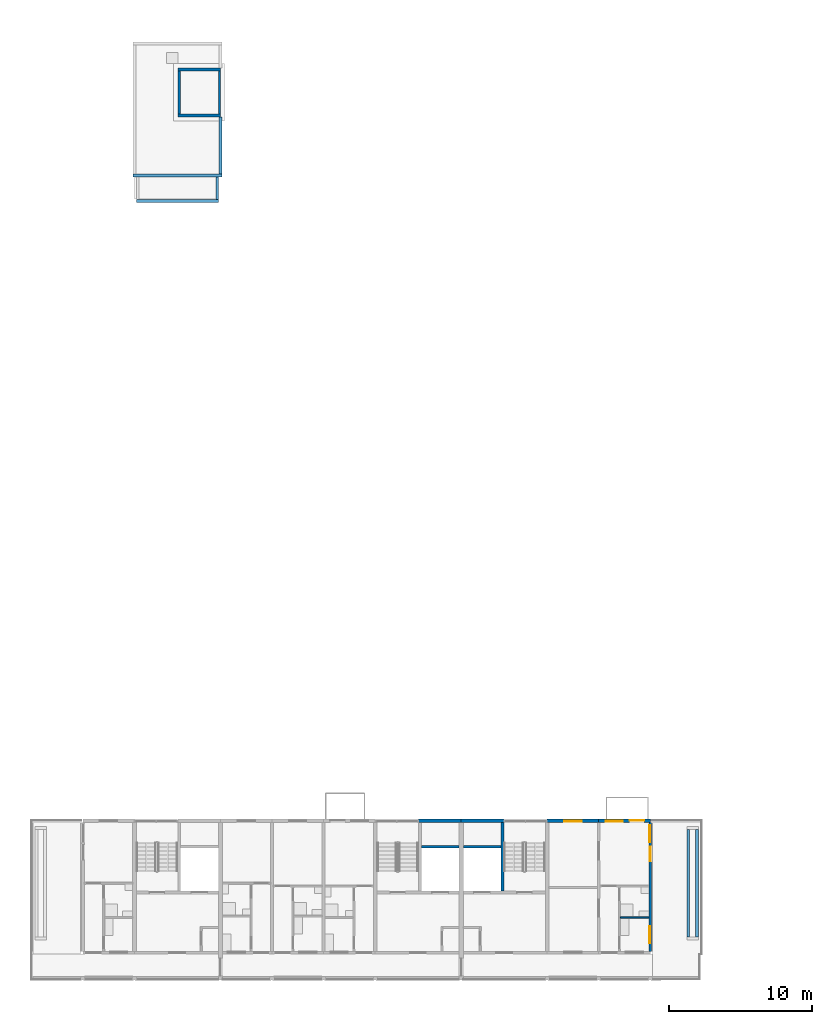
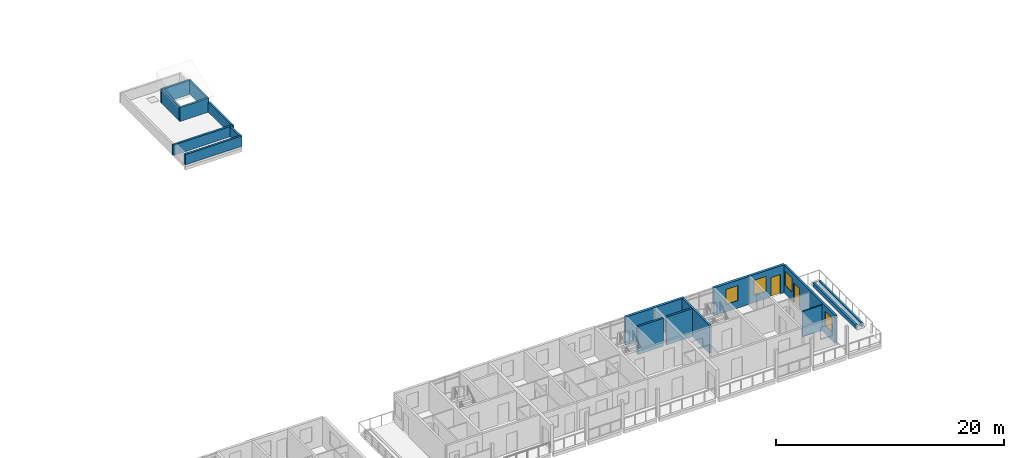
# One storey, part 30 of 64: 19 walls, 4 windows, 2 doors, 6 openings.
"""IFC4 building model written with IfcOpenShell, lengths in metres."""

import ifcopenshell
import ifcopenshell.guid

model = None  # the IFC model being written
_history = None  # IfcOwnerHistory: only IFC2X3 demands one
_inside = {}  # id of a spatial element -> (the spatial element, [elements in it])
_under = {}  # id of a project, library or spatial element -> (it, [spatial elements below it])
_declared = {}  # id of a project -> (the project, [libraries it declares])
_typed = {}  # id of a type object -> (the type object, [elements of that type])
_made_of = {}  # id of a material, layer set ... -> (it, [elements and type objects made of it])


def new_model(schema):
    """Start an empty IFC model of exactly this schema.

    Asked for "IFC4X3", IfcOpenShell would pick the latest addendum, in which some entities
    have other attributes; the version numbers below select the first issue.
    IFC2X3 requires an IfcOwnerHistory on every rooted entity: one is made here for all.
    """
    global model, _history
    if schema == "IFC4X3":
        model = ifcopenshell.file(schema_version=(4, 3, 0, 0))
    else:
        model = ifcopenshell.file(schema=schema)
    _inside.clear()
    _under.clear()
    _declared.clear()
    _typed.clear()
    _made_of.clear()
    _history = None
    if model.schema == "IFC2X3":
        org = make("IfcOrganization", Name="unknown")
        user = make(
            "IfcPersonAndOrganization",
            ThePerson=make("IfcPerson", FamilyName="unknown"),
            TheOrganization=org,
        )
        app = make(
            "IfcApplication",
            ApplicationDeveloper=org,
            Version="unknown",
            ApplicationFullName="unknown",
            ApplicationIdentifier="unknown",
        )
        _history = make(
            "IfcOwnerHistory",
            OwningUser=user,
            OwningApplication=app,
            ChangeAction="ADDED",
            CreationDate=0,
        )
    return model


def make(cls, **values):
    """One entity of the class cls with the attributes given. An attribute that is None is left unset."""
    return model.create_entity(
        cls, **{name: value for name, value in values.items() if value is not None}
    )


def rooted(cls, **values):
    """An entity with a GlobalId (a new one), such as an element, a storey or a relation."""
    return make(cls, GlobalId=ifcopenshell.guid.new(), OwnerHistory=_history, **values)


def si_unit(unit_type, name, prefix=None):
    """IfcSIUnit, for example si_unit("LENGTHUNIT", "METRE", prefix="MILLI")."""
    return make("IfcSIUnit", UnitType=unit_type, Prefix=prefix, Name=name)


def assignment(units):
    """IfcUnitAssignment: the units of a project."""
    return None if units is None else make("IfcUnitAssignment", Units=units)


def point(xyz):
    """IfcCartesianPoint."""
    return None if xyz is None else make("IfcCartesianPoint", Coordinates=xyz)


def direction(xyz):
    """IfcDirection."""
    return None if xyz is None else make("IfcDirection", DirectionRatios=xyz)


def frame(location, z_axis=None, x_axis=None):
    """IfcAxis2Placement3D, a coordinate frame: its origin and axes. An axis left out is left unset."""
    return make(
        "IfcAxis2Placement3D",
        Location=point(location),
        Axis=direction(z_axis),
        RefDirection=direction(x_axis),
    )


def frame_2d(location, x_axis=None):
    """IfcAxis2Placement2D, a coordinate frame in the plane: its origin and x axis."""
    return make(
        "IfcAxis2Placement2D", Location=point(location), RefDirection=direction(x_axis)
    )


def origin():
    """The frame at (0, 0, 0) with its axes left unset."""
    return frame((0.0, 0.0, 0.0))


def place(relative_to, where):
    """IfcLocalPlacement: puts the frame where relative to a parent placement (None: the world)."""
    return make(
        "IfcLocalPlacement", PlacementRelTo=relative_to, RelativePlacement=where
    )


def context(
    kind, dimensions, precision=None, world=None, true_north=None, identifier=None
):
    """IfcGeometricRepresentationContext, for example the 3D "Model" context."""
    return make(
        "IfcGeometricRepresentationContext",
        ContextIdentifier=identifier,
        ContextType=kind,
        CoordinateSpaceDimension=dimensions,
        Precision=precision,
        WorldCoordinateSystem=world,
        TrueNorth=true_north,
    )


def subcontext(parent, identifier, kind, view, scale=None):
    """IfcGeometricRepresentationSubContext, for example "Body" below "Model"."""
    return make(
        "IfcGeometricRepresentationSubContext",
        ContextIdentifier=identifier,
        ContextType=kind,
        ParentContext=parent,
        TargetScale=scale,
        TargetView=view,
    )


def project(units=None, contexts=None):
    """IfcProject with its units and contexts."""
    return rooted(
        "IfcProject",
        Name="project",
        RepresentationContexts=contexts,
        UnitsInContext=assignment(units),
    )


def spatial(cls, under=None, at=None, **own):
    """A site, building, storey or space (cls), placed at a placement, below another one or the project."""
    s = rooted(cls, ObjectPlacement=at, **own)
    if under is not None:
        _under.setdefault(under.id(), (under, []))[1].append(s)
    return s


def profile(cls, at=None, kind="AREA", **sizes):
    """A parametric profile (cls). Its sizes go by their IFC names, for example OverallWidth=200.0."""
    return make(cls, ProfileType=kind, Position=at, **sizes)


def rectangle(**sizes):
    """IfcRectangleProfileDef."""
    return profile("IfcRectangleProfileDef", **sizes)


def extrude(swept, where, along, depth):
    """IfcExtrudedAreaSolid: the profile swept, set in the frame where, extruded along a direction by depth."""
    return make(
        "IfcExtrudedAreaSolid",
        SweptArea=swept,
        Position=where,
        ExtrudedDirection=direction(along),
        Depth=depth,
    )


def shape(context_of_items, identifier, shape_type, items):
    """IfcShapeRepresentation: the items that make up one representation, for example the "Body"."""
    return make(
        "IfcShapeRepresentation",
        ContextOfItems=context_of_items,
        RepresentationIdentifier=identifier,
        RepresentationType=shape_type,
        Items=items,
    )


def material(Name=None, Category=None):
    """IfcMaterial."""
    return make("IfcMaterial", Name=Name, Category=Category)


def layer(
    of_material, thickness, ventilated=None, Name=None, Category=None, Priority=None
):
    """IfcMaterialLayer: one layer of a wall or slab, of a material (None: an air gap)."""
    return make(
        "IfcMaterialLayer",
        Material=of_material,
        LayerThickness=thickness,
        IsVentilated=ventilated,
        Name=Name,
        Category=Category,
        Priority=Priority,
    )


def layer_set(layers, Name=None):
    """IfcMaterialLayerSet."""
    return make("IfcMaterialLayerSet", MaterialLayers=layers, LayerSetName=Name)


def made_of(thing, what):
    """Note that an element or type object is made of a material, layer set ...; save() writes the relation."""
    if what is not None:
        _made_of.setdefault(what.id(), (what, []))[1].append(thing)
    return thing


def type_object(cls, material=None, **own):
    """A type object (cls), such as IfcWallType, which elements share."""
    return made_of(rooted(cls, **own), material)


def element(
    cls,
    number,
    at=None,
    inside=None,
    cuts=None,
    type_object=None,
    material=None,
    context=None,
    identifier="Body",
    shape_type=None,
    held_by="IfcProductDefinitionShape",
    body=None,
    shapes=None,
    **own,
):
    """One element of the class cls, such as IfcWall. Its Tag is "e" and its number.

    at: its placement. inside: the storey or other place that contains it. cuts: it is an
    opening in that element (IfcRelVoidsElement). A single representation is given by context,
    identifier, shape_type and body (its items); several are given by shapes. held_by: the class
    of the entity that holds the representations. save() writes the other relations.
    """
    e = rooted(cls, Tag="e%d" % number, ObjectPlacement=at, **own)
    if body is not None:
        shapes = [shape(context, identifier, shape_type, body)]
    if shapes is not None:
        e.Representation = make(held_by, Representations=shapes)
    if inside is not None:
        _inside.setdefault(inside.id(), (inside, []))[1].append(e)
    if cuts is not None:
        rooted(
            "IfcRelVoidsElement", RelatingBuildingElement=cuts, RelatedOpeningElement=e
        )
    if type_object is not None:
        _typed.setdefault(type_object.id(), (type_object, []))[1].append(e)
    return made_of(e, material)


def fill(opening, filler):
    """IfcRelFillsElement: the door or window that sits in an opening."""
    return rooted(
        "IfcRelFillsElement",
        RelatingOpeningElement=opening,
        RelatedBuildingElement=filler,
    )


def aggregate(whole, parts):
    """IfcRelAggregates: a whole, such as a stair, and the parts it consists of."""
    return rooted("IfcRelAggregates", RelatingObject=whole, RelatedObjects=parts)


def save(model, path):
    """Write the relations noted so far, then the file.

    IfcRelAggregates (storeys below a building ...), IfcRelContainedInSpatialStructure (elements
    in a storey), IfcRelDefinesByType, IfcRelAssociatesMaterial and IfcRelDeclares: one each for
    every whole, place, type object, material and project.
    """
    for whole, parts in _under.values():
        aggregate(whole, parts)
    for where, things in _inside.values():
        rooted(
            "IfcRelContainedInSpatialStructure",
            RelatedElements=things,
            RelatingStructure=where,
        )
    for kind, things in _typed.values():
        rooted("IfcRelDefinesByType", RelatedObjects=things, RelatingType=kind)
    for what, things in _made_of.values():
        rooted("IfcRelAssociatesMaterial", RelatedObjects=things, RelatingMaterial=what)
    for by, libraries in _declared.values():
        rooted("IfcRelDeclares", RelatingContext=by, RelatedDefinitions=libraries)
    model.write(path)


model = new_model("IFC4")

# Units and contexts
model_context = context("Model", 3, precision=1e-05, world=origin(), true_north=direction((0.0, 1.0)))
body_context = subcontext(model_context, "Body", "Model", "MODEL_VIEW")
ifc_project = project(units=[si_unit("LENGTHUNIT", "METRE"), si_unit("AREAUNIT", "SQUARE_METRE"), si_unit("VOLUMEUNIT", "CUBIC_METRE"), si_unit("PLANEANGLEUNIT", "RADIAN"), si_unit("MASSUNIT", "GRAM", prefix="KILO")], contexts=[model_context])

# Site, building, storey
site_placement = place(None, origin())
site = spatial("IfcSite", under=ifc_project, at=site_placement, CompositionType="ELEMENT")
building_placement = place(site_placement, origin())
building = spatial("IfcBuilding", under=site, at=building_placement, Name="Ridgestep Commons", CompositionType="ELEMENT")
storey_placement = place(building_placement, frame((0.0, 0.0, 33.0)))
storey = spatial("IfcBuildingStorey", under=building, at=storey_placement, Name="L11", CompositionType="ELEMENT", Elevation=33.0)

# Walls
ifc_material_1 = material(Name="Concrete C30/37", Category="concrete")
ifc_layer_1 = layer(ifc_material_1, 0.199951171875)
ifc_layer_set_1 = layer_set([ifc_layer_1], Name="Core wall 200")
wall_type_1 = type_object("IfcWallType", Name="Core wall 200", PredefinedType="SHEAR", material=ifc_layer_set_1)
wall_1_placement = place(storey_placement, frame((93.22509765625, 21.050048828125, 0.0), z_axis=(0.0, 0.0, 1.0), x_axis=(1.0, 0.0, 0.0)))
element("IfcWall", 1, at=wall_1_placement, inside=storey, type_object=wall_type_1, Name="Core duct wall A5C L11", PredefinedType="SHEAR", context=body_context, shape_type="SweptSolid", body=[
    extrude(rectangle(XDim=2.625, YDim=0.199951171875, at=frame_2d((1.3125, 0.0))), origin(), (0.0, 0.0, 1.0), 3.0),
])
wall_2_placement = place(storey_placement, frame((98.875, 17.949951171875, 0.0), z_axis=(0.0, 0.0, 1.0), x_axis=(0.0, 1.0, 0.0)))
element("IfcWall", 2, at=wall_2_placement, inside=storey, type_object=wall_type_1, Name="Core stair wall A6C L11", PredefinedType="SHEAR", context=body_context, shape_type="SweptSolid", body=[
    extrude(rectangle(XDim=4.800048828125, YDim=0.199951171875, at=frame_2d((2.39990234375, 0.0))), origin(), (0.0, 0.0, 1.0), 3.0),
])
wall_3_placement = place(storey_placement, frame((96.14990234375, 21.050048828125, 0.0), z_axis=(0.0, 0.0, 1.0), x_axis=(1.0, 0.0, 0.0)))
element("IfcWall", 3, at=wall_3_placement, inside=storey, type_object=wall_type_1, Name="Core duct wall A6C L11", PredefinedType="SHEAR", context=body_context, shape_type="SweptSolid", body=[
    extrude(rectangle(XDim=2.625, YDim=0.199951171875, at=frame_2d((1.3125, 0.0))), origin(), (0.0, 0.0, 1.0), 3.0),
])

# Wall, openings, windows, door
ifc_material_2 = material(Name="Precast concrete C40/50", Category="concrete")
ifc_layer_2 = layer(ifc_material_2, 0.199951171875)
ifc_layer_set_2 = layer_set([ifc_layer_2], Name="Exposed cross wall 200")
wall_type_2 = type_object("IfcWallType", Name="Exposed cross wall 200", PredefinedType="SHEAR", material=ifc_layer_set_2)
wall_4_placement = place(storey_placement, frame((109.199951171875, 13.75, 0.0), z_axis=(0.0, 0.0, 1.0), x_axis=(0.0, 1.0, 0.0)))
wall_4 = element("IfcWall", 4, at=wall_4_placement, inside=storey, type_object=wall_type_2, Name="Cross wall A-11-1092", PredefinedType="SHEAR", context=body_context, shape_type="SweptSolid", body=[
    extrude(rectangle(XDim=9.0, YDim=0.199951171875, at=frame_2d((4.5, 0.0))), origin(), (0.0, 0.0, 1.0), 3.0),
])
opening_1_placement = place(wall_4_placement, frame((0.550048828125, 0.0, 0.89990234375)))
opening_1 = element("IfcOpeningElement", 5, at=opening_1_placement, cuts=wall_4, Name="Opening W10", PredefinedType="OPENING", context=body_context, shape_type="SweptSolid", body=[
    extrude(rectangle(XDim=1.199951171875, YDim=1.5, at=frame_2d((0.60009765625, 0.75))), frame((0.0, 0.10986328125, 0.0), z_axis=(0.0, -1.0, 0.0), x_axis=(1.0, 0.0, 0.0)), (0.0, 0.0, 1.0), 0.219970703125),
])
opening_2_placement = place(wall_4_placement, frame((7.6025390625, 0.0, 0.89990234375)))
opening_2 = element("IfcOpeningElement", 6, at=opening_2_placement, cuts=wall_4, Name="Opening W10", PredefinedType="OPENING", context=body_context, shape_type="SweptSolid", body=[
    extrude(rectangle(XDim=1.199951171875, YDim=1.5, at=frame_2d((0.60009765625, 0.75))), frame((0.0, 0.10986328125, 0.0), z_axis=(0.0, -1.0, 0.0), x_axis=(1.0, 0.0, 0.0)), (0.0, 0.0, 1.0), 0.219970703125),
])
opening_3_placement = place(wall_4_placement, frame((6.304931640625, 0.0, 0.0)))
opening_3 = element("IfcOpeningElement", 7, at=opening_3_placement, cuts=wall_4, Name="Opening A6-11a/7", PredefinedType="OPENING", context=body_context, shape_type="SweptSolid", body=[
    extrude(rectangle(XDim=1.0, YDim=2.10009765625, at=frame_2d((0.5, 1.050048828125))), frame((0.0, 0.10986328125, 0.0), z_axis=(0.0, -1.0, 0.0), x_axis=(1.0, 0.0, 0.0)), (0.0, 0.0, 1.0), 0.219970703125),
])
ifc_material_3 = material(Name="Aluminium 6063-T6 and glass", Category="aluminium")
window_type_1 = type_object("IfcWindowType", Name="Flat window 1200 x 1500", PartitioningType="SINGLE_PANEL", PredefinedType="WINDOW", material=ifc_material_3)
window_1_placement = place(opening_1_placement, origin())
window_1 = element("IfcWindow", 8, at=window_1_placement, inside=storey, type_object=window_type_1, Name="Window A6-11a 5", OverallHeight=1.5, OverallWidth=1.199951171875, PartitioningType="SINGLE_PANEL", PredefinedType="WINDOW", context=body_context, shape_type="SweptSolid", body=[
    extrude(rectangle(XDim=1.199951171875, YDim=1.5, at=frame_2d((0.60009765625, 0.75))), frame((0.0, 0.06005859375, 0.0), z_axis=(0.0, -1.0, 0.0), x_axis=(1.0, 0.0, 0.0)), (0.0, 0.0, 1.0), 0.06005859375),
])
fill(opening_1, window_1)
window_2_placement = place(opening_2_placement, origin())
window_2 = element("IfcWindow", 9, at=window_2_placement, inside=storey, type_object=window_type_1, Name="Window A6-11a 6", OverallHeight=1.5, OverallWidth=1.199951171875, PartitioningType="SINGLE_PANEL", PredefinedType="WINDOW", context=body_context, shape_type="SweptSolid", body=[
    extrude(rectangle(XDim=1.199951171875, YDim=1.5, at=frame_2d((0.60009765625, 0.75))), frame((0.0, 0.06005859375, 0.0), z_axis=(0.0, -1.0, 0.0), x_axis=(1.0, 0.0, 0.0)), (0.0, 0.0, 1.0), 0.06005859375),
])
fill(opening_2, window_2)
ifc_material_4 = material(Name="Aluminium and glass", Category="aluminium")
door_type_1 = type_object("IfcDoorType", Name="Terrace door 1000 x 2100", OperationType="NOTDEFINED", PredefinedType="DOOR", material=ifc_material_4)
door_1_placement = place(opening_3_placement, origin())
door_1 = element("IfcDoor", 10, at=door_1_placement, inside=storey, type_object=door_type_1, Name="Terrace door A6-11a/7", OperationType="SINGLE_SWING_LEFT", OverallHeight=2.10009765625, OverallWidth=1.0, PredefinedType="DOOR", context=body_context, shape_type="SweptSolid", body=[
    extrude(rectangle(XDim=1.0, YDim=2.10009765625, at=frame_2d((0.5, 1.050048828125))), frame((0.0, 0.02490234375, 0.0), z_axis=(0.0, -1.0, 0.0), x_axis=(1.0, 0.0, 0.0)), (0.0, 0.0, 1.0), 0.050048828125),
])
fill(opening_3, door_1)

# Walls
ifc_material_5 = material(Name="Concrete C30/37", Category="concrete")
ifc_layer_3 = layer(ifc_material_5, 0.14990234375)
ifc_layer_set_3 = layer_set([ifc_layer_3], Name="Lift overrun wall 150")
wall_type_3 = type_object("IfcWallType", Name="Lift overrun wall 150", PredefinedType="SHEAR", material=ifc_layer_set_3)
wall_5_placement = place(storey_placement, frame((79.125, 72.199951171875, 0.0), z_axis=(0.0, 0.0, 1.0), x_axis=(0.0, 1.0, 0.0)))
element("IfcWall", 11, at=wall_5_placement, inside=storey, type_object=wall_type_3, Name="Lift overrun wall B4C", PredefinedType="SHEAR", context=body_context, shape_type="SweptSolid", body=[
    extrude(rectangle(XDim=3.0, YDim=0.14990234375, at=frame_2d((1.5, 0.0))), origin(), (0.0, 0.0, 1.0), 1.5),
])
ifc_material_6 = material(Name="Concrete C30/37", Category="concrete")
ifc_layer_4 = layer(ifc_material_6, 0.199951171875)
ifc_layer_set_4 = layer_set([ifc_layer_4], Name="Lift overrun wall 200")
wall_type_4 = type_object("IfcWallType", Name="Lift overrun wall 200", PredefinedType="SHEAR", material=ifc_layer_set_4)
for number, where, z_axis, x_axis, name in (
    (12, (76.22509765625, 72.10009765625, 0.0), (0.0, 0.0, 1.0), (1.0, 0.0, 0.0), "Lift overrun wall B4C"),
    (13, (76.22509765625, 75.300048828125, 0.0), (0.0, 0.0, 1.0), (1.0, 0.0, 0.0), "Lift overrun wall B4C"),
):
    element("IfcWall", number, at=place(storey_placement, frame(where, z_axis=z_axis, x_axis=x_axis)), inside=storey, type_object=wall_type_4, Name=name, PredefinedType="SHEAR", context=body_context, shape_type="SweptSolid", body=[
        extrude(rectangle(XDim=2.974853515625, YDim=0.199951171875, at=frame_2d((1.4873046875, 0.0))), origin(), (0.0, 0.0, 1.0), 1.5),
    ])
wall_6_placement = place(storey_placement, frame((76.324951171875, 72.199951171875, 0.0), z_axis=(0.0, 0.0, 1.0), x_axis=(0.0, 1.0, 0.0)))
element("IfcWall", 14, at=wall_6_placement, inside=storey, type_object=wall_type_4, Name="Lift overrun wall B4C", PredefinedType="SHEAR", context=body_context, shape_type="SweptSolid", body=[
    extrude(rectangle(XDim=3.0, YDim=0.199951171875, at=frame_2d((1.5, 0.0))), origin(), (0.0, 0.0, 1.0), 1.5),
])
ifc_material_7 = material(Name="Precast concrete C40/50", Category="concrete")
ifc_layer_5 = layer(ifc_material_7, 0.25)
ifc_layer_set_5 = layer_set([ifc_layer_5], Name="North facade panel 250")
wall_type_5 = type_object("IfcWallType", Name="North facade panel 250", PredefinedType="SOLIDWALL", material=ifc_layer_set_5)
for number, where, z_axis, x_axis, name in (
    (15, (93.02490234375, 22.875, 0.0), (0.0, 0.0, 1.0), (1.0, 0.0, 0.0), "North panel A5C L11"),
    (16, (96.0, 22.875, 0.0), (0.0, 0.0, 1.0), (1.0, 0.0, 0.0), "North panel A6C L11"),
):
    element("IfcWall", number, at=place(storey_placement, frame(where, z_axis=z_axis, x_axis=x_axis)), inside=storey, type_object=wall_type_5, Name=name, PredefinedType="SOLIDWALL", context=body_context, shape_type="SweptSolid", body=[
        extrude(rectangle(XDim=2.97509765625, YDim=0.25, at=frame_2d((1.487548828125, 0.0))), origin(), (0.0, 0.0, 1.0), 3.0),
    ])

# Wall, opening, window
wall_7_placement = place(storey_placement, frame((102.0, 22.875, 0.0), z_axis=(0.0, 0.0, 1.0), x_axis=(1.0, 0.0, 0.0)))
wall_7 = element("IfcWall", 17, at=wall_7_placement, inside=storey, type_object=wall_type_5, Name="North panel A6T3 L11", PredefinedType="SOLIDWALL", context=body_context, shape_type="SweptSolid", body=[
    extrude(rectangle(XDim=3.60009765625, YDim=0.25, at=frame_2d((1.800048828125, 0.0))), origin(), (0.0, 0.0, 1.0), 3.0),
])
opening_4_placement = place(wall_7_placement, frame((1.21240234375, 0.0, 0.800048828125)))
opening_4 = element("IfcOpeningElement", 18, at=opening_4_placement, cuts=wall_7, Name="Opening W11", PredefinedType="OPENING", context=body_context, shape_type="SweptSolid", body=[
    extrude(rectangle(XDim=1.199951171875, YDim=1.60009765625, at=frame_2d((0.60009765625, 0.800048828125))), frame((0.0, 0.135009765625, 0.0), z_axis=(0.0, -1.0, 0.0), x_axis=(1.0, 0.0, 0.0)), (0.0, 0.0, 1.0), 0.27001953125),
])
ifc_material_8 = material(Name="Aluminium 6063-T6 and glass", Category="aluminium")
window_type_2 = type_object("IfcWindowType", Name="Flat window 1200 x 1600", PartitioningType="SINGLE_PANEL", PredefinedType="WINDOW", material=ifc_material_8)
window_3_placement = place(opening_4_placement, origin())
window_3 = element("IfcWindow", 19, at=window_3_placement, inside=storey, type_object=window_type_2, Name="Window A6-11a 2", OverallHeight=1.60009765625, OverallWidth=1.199951171875, PartitioningType="SINGLE_PANEL", PredefinedType="WINDOW", context=body_context, shape_type="SweptSolid", body=[
    extrude(rectangle(XDim=1.199951171875, YDim=1.60009765625, at=frame_2d((0.60009765625, 0.800048828125))), frame((0.0, -0.02490234375, 0.0), z_axis=(0.0, -1.0, 0.0), x_axis=(1.0, 0.0, 0.0)), (0.0, 0.0, 1.0), 0.06005859375),
])
fill(opening_4, window_3)

# Wall, openings, door, window
wall_8_placement = place(storey_placement, frame((105.60009765625, 22.875, 0.0), z_axis=(0.0, 0.0, 1.0), x_axis=(1.0, 0.0, 0.0)))
wall_8 = element("IfcWall", 20, at=wall_8_placement, inside=storey, type_object=wall_type_5, Name="North panel A6T2 L11", PredefinedType="SOLIDWALL", context=body_context, shape_type="SweptSolid", body=[
    extrude(rectangle(XDim=3.599853515625, YDim=0.25, at=frame_2d((1.7998046875, 0.0))), origin(), (0.0, 0.0, 1.0), 3.0),
])
opening_5_placement = place(wall_8_placement, frame((0.48291015625, 0.0, 0.800048828125)))
opening_5 = element("IfcOpeningElement", 21, at=opening_5_placement, cuts=wall_8, Name="Opening W11", PredefinedType="OPENING", context=body_context, shape_type="SweptSolid", body=[
    extrude(rectangle(XDim=1.199951171875, YDim=1.60009765625, at=frame_2d((0.60009765625, 0.800048828125))), frame((0.0, 0.135009765625, 0.0), z_axis=(0.0, -1.0, 0.0), x_axis=(1.0, 0.0, 0.0)), (0.0, 0.0, 1.0), 0.27001953125),
])
opening_6_placement = place(wall_8_placement, frame((2.166015625, 0.0, 0.0)))
opening_6 = element("IfcOpeningElement", 22, at=opening_6_placement, cuts=wall_8, Name="Opening A6-11a/8", PredefinedType="OPENING", context=body_context, shape_type="SweptSolid", body=[
    extrude(rectangle(XDim=1.0, YDim=2.10009765625, at=frame_2d((0.5, 1.050048828125))), frame((0.0, 0.135009765625, 0.0), z_axis=(0.0, -1.0, 0.0), x_axis=(1.0, 0.0, 0.0)), (0.0, 0.0, 1.0), 0.27001953125),
])
ifc_material_9 = material(Name="Aluminium and glass", Category="aluminium")
door_type_2 = type_object("IfcDoorType", Name="Balcony door 1000 x 2100", OperationType="NOTDEFINED", PredefinedType="DOOR", material=ifc_material_9)
door_2_placement = place(opening_6_placement, origin())
door_2 = element("IfcDoor", 23, at=door_2_placement, inside=storey, type_object=door_type_2, Name="Balcony door A6-11a/8", OperationType="SINGLE_SWING_LEFT", OverallHeight=2.10009765625, OverallWidth=1.0, PredefinedType="DOOR", context=body_context, shape_type="SweptSolid", body=[
    extrude(rectangle(XDim=1.0, YDim=2.10009765625, at=frame_2d((0.5, 1.050048828125))), frame((0.0, 0.02490234375, 0.0), z_axis=(0.0, -1.0, 0.0), x_axis=(1.0, 0.0, 0.0)), (0.0, 0.0, 1.0), 0.050048828125),
])
fill(opening_6, door_2)
window_4_placement = place(opening_5_placement, origin())
window_4 = element("IfcWindow", 24, at=window_4_placement, inside=storey, type_object=window_type_2, Name="Window A6-11a 4", OverallHeight=1.60009765625, OverallWidth=1.199951171875, PartitioningType="SINGLE_PANEL", PredefinedType="WINDOW", context=body_context, shape_type="SweptSolid", body=[
    extrude(rectangle(XDim=1.199951171875, YDim=1.60009765625, at=frame_2d((0.60009765625, 0.800048828125))), frame((0.0, -0.02490234375, 0.0), z_axis=(0.0, -1.0, 0.0), x_axis=(1.0, 0.0, 0.0)), (0.0, 0.0, 1.0), 0.06005859375),
])
fill(opening_5, window_4)

# Walls
ifc_material_10 = material(Name="Precast concrete C40/50", Category="concrete")
ifc_layer_6 = layer(ifc_material_10, 0.199951171875)
ifc_layer_set_6 = layer_set([ifc_layer_6], Name="Parapet wall 200")
wall_type_6 = type_object("IfcWallType", Name="Parapet wall 200", PredefinedType="PARAPET", material=ifc_layer_set_6)
wall_9_placement = place(storey_placement, frame((73.10009765625, 67.89990234375, 0.0), z_axis=(0.0, 0.0, 1.0), x_axis=(1.0, 0.0, 0.0)))
element("IfcWall", 25, at=wall_9_placement, inside=storey, type_object=wall_type_6, Name="Parapet B4C south", PredefinedType="PARAPET", context=body_context, shape_type="SweptSolid", body=[
    extrude(rectangle(XDim=6.199951171875, YDim=0.199951171875, at=frame_2d((3.10009765625, 0.0))), origin(), (0.0, 0.0, 1.0), 1.10009765625),
])
wall_10_placement = place(storey_placement, frame((79.199951171875, 68.0, 0.0), z_axis=(0.0, 0.0, 1.0), x_axis=(0.0, 1.0, 0.0)))
element("IfcWall", 26, at=wall_10_placement, inside=storey, type_object=wall_type_6, Name="Parapet B4C east", PredefinedType="PARAPET", context=body_context, shape_type="SweptSolid", body=[
    extrude(rectangle(XDim=4.0, YDim=0.199951171875, at=frame_2d((2.0, 0.0))), origin(), (0.0, 0.0, 1.0), 1.10009765625),
])
wall_11_placement = place(storey_placement, frame((73.324951171875, 66.125, 0.0), z_axis=(0.0, 0.0, 1.0), x_axis=(1.0, 0.0, 0.0)))
element("IfcWall", 27, at=wall_11_placement, inside=storey, type_object=wall_type_6, Name="Parapet B4C gallery south", PredefinedType="PARAPET", context=body_context, shape_type="SweptSolid", body=[
    extrude(rectangle(XDim=5.75, YDim=0.199951171875, at=frame_2d((2.875, 0.0))), origin(), (0.0, 0.0, 1.0), 1.10009765625),
])
wall_12_placement = place(storey_placement, frame((78.97509765625, 66.22509765625, 0.0), z_axis=(0.0, 0.0, 1.0), x_axis=(0.0, 1.0, 0.0)))
element("IfcWall", 28, at=wall_12_placement, inside=storey, type_object=wall_type_6, Name="Parapet B4C gallery east", PredefinedType="PARAPET", context=body_context, shape_type="SweptSolid", body=[
    extrude(rectangle(XDim=1.574951171875, YDim=0.199951171875, at=frame_2d((0.78759765625, 0.0))), origin(), (0.0, 0.0, 1.0), 1.10009765625),
])
ifc_material_11 = material(Name="Common brick 110 mm", Category="masonry")
ifc_layer_7 = layer(ifc_material_11, 0.110107421875)
ifc_layer_set_7 = layer_set([ifc_layer_7], Name="Partition 110")
wall_type_7 = type_object("IfcWallType", Name="Partition 110", PredefinedType="PARTITIONING", material=ifc_layer_set_7)
wall_13_placement = place(storey_placement, frame((107.110107421875, 16.10498046875, 0.0), z_axis=(0.0, 0.0, 1.0), x_axis=(1.0, 0.0, 0.0)))
element("IfcWall", 29, at=wall_13_placement, inside=storey, type_object=wall_type_7, Name="Partition A6-11a", PredefinedType="PARTITIONING", context=body_context, shape_type="SweptSolid", body=[
    extrude(rectangle(XDim=1.989990234375, YDim=0.110107421875, at=frame_2d((0.9951171875, 0.0))), origin(), (0.0, 0.0, 1.0), 2.75),
])
ifc_material_12 = material(Name="Facing brick", Category="masonry")
ifc_layer_8 = layer(ifc_material_12, 0.199951171875)
ifc_layer_set_8 = layer_set([ifc_layer_8], Name="Planter wall 200")
wall_type_8 = type_object("IfcWallType", Name="Planter wall 200", PredefinedType="SOLIDWALL", material=ifc_layer_set_8)
for number, where, z_axis, x_axis, name in (
    (30, (111.85009765625, 14.75, 0.010009765625), (0.0, 0.0, 1.0), (0.0, 1.0, 0.0), "Planter wall A6R1W"),
    (31, (112.449951171875, 14.75, 0.010009765625), (0.0, 0.0, 1.0), (0.0, 1.0, 0.0), "Planter wall A6R1E"),
):
    element("IfcWall", number, at=place(storey_placement, frame(where, z_axis=z_axis, x_axis=x_axis)), inside=storey, type_object=wall_type_8, Name=name, PredefinedType="SOLIDWALL", context=body_context, shape_type="SweptSolid", body=[
        extrude(rectangle(XDim=7.5, YDim=0.199951171875, at=frame_2d((3.75, 0.0))), origin(), (0.0, 0.0, 1.0), 0.449951171875),
    ])

save(model, "model.ifc")
